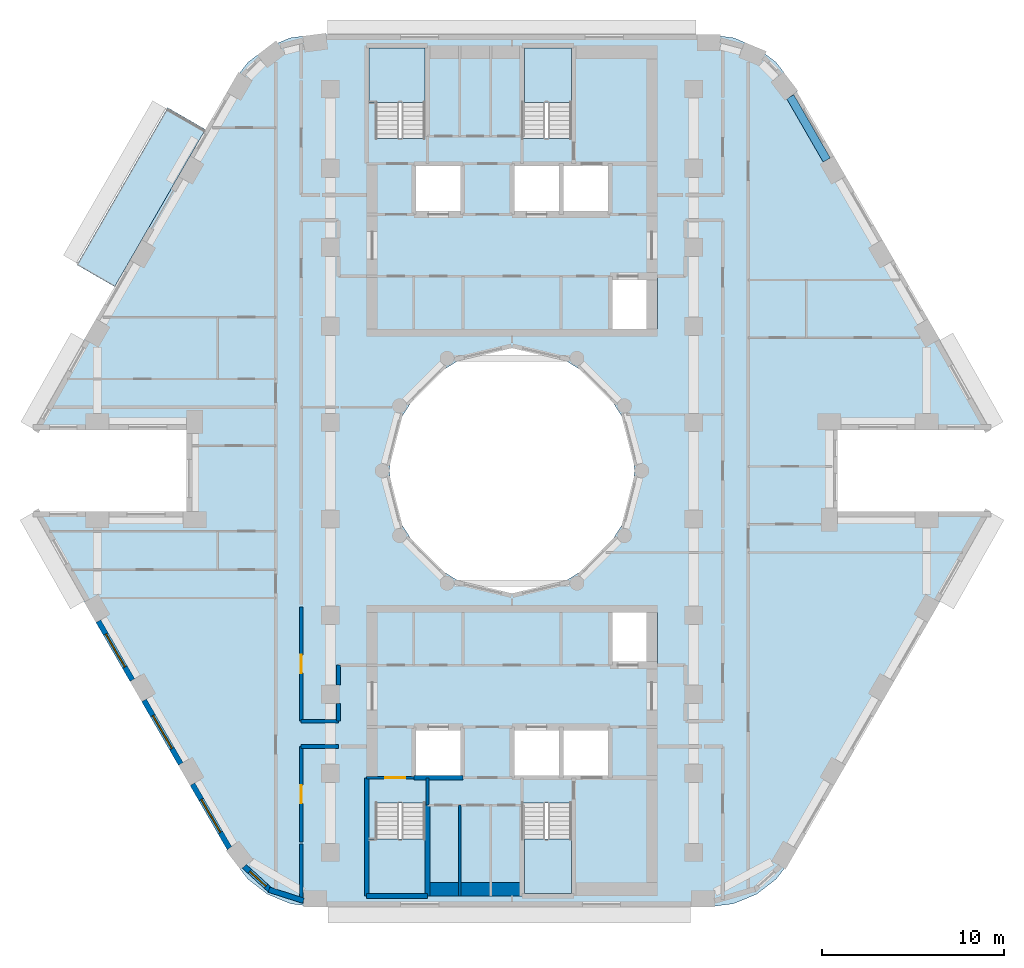
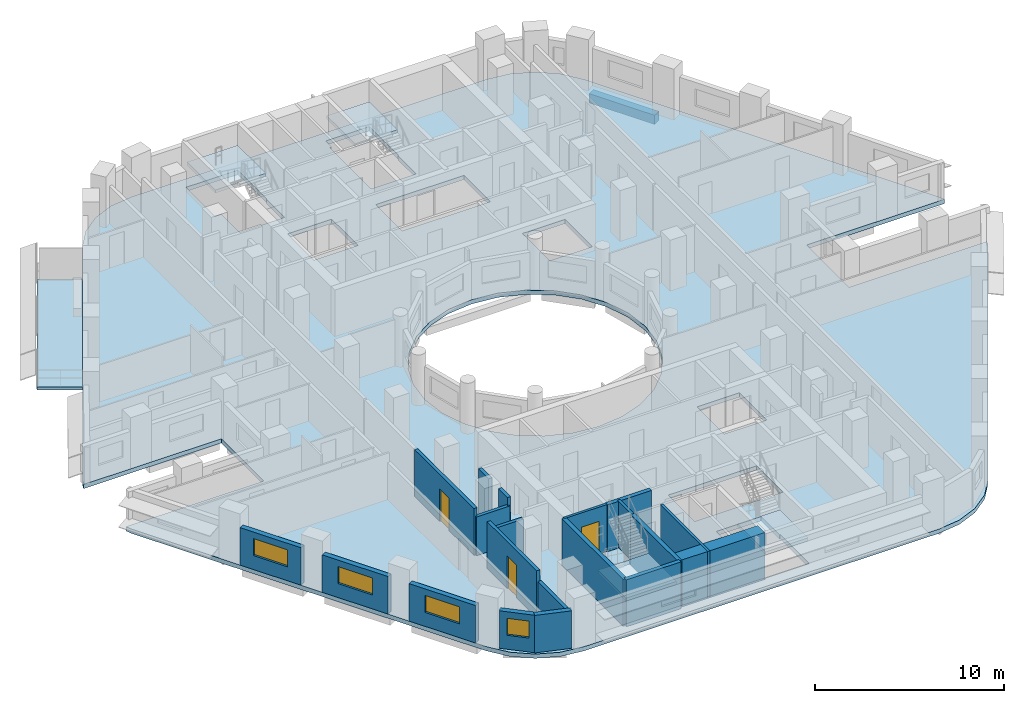
# One storey, part 2 of 13: 20 walls, 6 slabs, 4 windows, 3 doors, 1 beam, 7 openings, 4 elements without a shape of their own.
"""IFC4 building model written with IfcOpenShell, lengths in metres."""

from ifc_helpers import new_model, si_unit, direction, frame, frame_2d, origin, origin_2d, place, context, subcontext, project, spatial, polyline, rectangle, outline, extrude, material, layer, layer_set, material_profile, profile_set, type_object, element, fill, aggregate, save


model = new_model("IFC4")

# Units and contexts
model_context = context("Model", 3, precision=1e-05, world=origin(), true_north=direction((0.0, 1.0)))
body_context = subcontext(model_context, "Body", "Model", "MODEL_VIEW")
ifc_project = project(units=[si_unit("LENGTHUNIT", "METRE"), si_unit("AREAUNIT", "SQUARE_METRE"), si_unit("VOLUMEUNIT", "CUBIC_METRE"), si_unit("PLANEANGLEUNIT", "RADIAN"), si_unit("MASSUNIT", "GRAM", prefix="KILO")], contexts=[model_context])

# Site, building, storey
site_placement = place(None, origin())
site = spatial("IfcSite", under=ifc_project, at=site_placement, CompositionType="ELEMENT")
building_placement = place(site_placement, origin())
building = spatial("IfcBuilding", under=site, at=building_placement, Name="Nakaniwa Court", CompositionType="ELEMENT")
storey_placement = place(building_placement, frame((0.0, 0.0, 147.0)))
storey = spatial("IfcBuildingStorey", under=building, at=storey_placement, Name="L38", CompositionType="ELEMENT", Elevation=147.0)

# Beam
ifc_material_1 = material(Name="Concrete C80/100", Category="concrete")
ifc_material_profile = material_profile(ifc_material_1, rectangle(XDim=0.449951171875, YDim=0.60009765625, at=origin_2d()), Name="Concrete C80/100 RC 450x600 spandrel beam")
ifc_profile_set = profile_set([ifc_material_profile], Name="Concrete C80/100")
beam_type = type_object("IfcBeamType", Name="Concrete C80/100 RC 450x600 spandrel beam", PredefinedType="BEAM", material=ifc_profile_set)
beam_placement = place(storey_placement, frame((97.320556640625, 97.10009765625, -0.574951171875), z_axis=(-0.500018573463, 0.866014680125, 0.0), x_axis=(-0.866014680125, -0.500018573463, 0.0)))
element("IfcBeam", 1, at=beam_placement, inside=storey, type_object=beam_type, Name="SPANDREL BEAM", PredefinedType="BEAM", context=body_context, shape_type="SweptSolid", body=[
    extrude(rectangle(XDim=0.449951171875, YDim=0.60009765625, at=origin_2d()), origin(), (0.0, 0.0, 1.0), 4.020263671875),
])

# Slabs
ifc_material_2 = material(Name="Charcoal ceramic paver")
ifc_layer_1 = layer(ifc_material_2, 0.02, Name="Ceramic paver")
ifc_material_3 = material(Name="Cement sand screed")
ifc_layer_2 = layer(ifc_material_3, 0.03, Name="Falls screed")
ifc_material_4 = material(Name="Concrete C40/50", Category="concrete")
ifc_layer_3 = layer(ifc_material_4, 0.15, Name="Balcony slab")
ifc_layer_set_1 = layer_set([ifc_layer_1, ifc_layer_2, ifc_layer_3], Name="Concrete C40/50 balcony slab with ceramic paver finish")
slab_type_1 = type_object("IfcSlabType", Name="Balcony slab 200", PredefinedType="FLOOR", material=ifc_layer_set_1)
slab_1_placement = place(storey_placement, frame((0.0, 0.0, -0.25)))
element("IfcSlab", 2, at=slab_1_placement, inside=storey, type_object=slab_type_1, Name="L38 balcony 01", PredefinedType="FLOOR", context=body_context, shape_type="SweptSolid", body=[
    extrude(outline(polyline([(63.1298828125, 98.780029296875), (58.13671875, 90.1318359375), (56.058349609375, 91.331787109375), (61.051513671875, 99.97998046875), (63.1298828125, 98.780029296875)])), origin(), (0.0, 0.0, 1.0), 0.199951171875),
])
ifc_layer_4 = layer(ifc_material_1, 0.27490234375)
ifc_layer_set_2 = layer_set([ifc_layer_4], Name="Concrete C80/100")
slab_type_2 = type_object("IfcSlabType", Name="Concrete C80/100 post tensioned floor slab 275", PredefinedType="FLOOR", material=ifc_layer_set_2)
slab_2_placement = place(storey_placement, frame((0.0, 0.0, -0.27490234375)))
element("IfcSlab", 3, at=slab_2_placement, inside=storey, type_object=slab_type_2, Name="FLOOR SLAB", PredefinedType="FLOOR", context=body_context, shape_type="SweptSolid", body=[
    extrude(outline(polyline([(97.908447265625, 82.25), (106.356689453125, 82.25), (106.211669921875, 82.60009765625), (95.357421875, 101.39990234375), (94.531005859375, 102.47705078125), (93.4541015625, 103.30322265625), (92.199951171875, 103.82275390625), (90.854248046875, 104.0), (69.145751953125, 104.0), (67.800048828125, 103.82275390625), (66.5458984375, 103.30322265625), (65.468994140625, 102.47705078125), (64.642578125, 101.39990234375), (53.788330078125, 82.60009765625), (53.643310546875, 82.25), (62.091552734375, 82.25), (62.091552734375, 77.75), (53.643310546875, 77.75), (53.788330078125, 77.39990234375), (64.642578125, 58.60009765625), (65.468994140625, 57.52294921875), (66.5458984375, 56.69677734375), (67.800048828125, 56.17724609375), (69.145751953125, 56.0), (90.854248046875, 56.0), (92.199951171875, 56.17724609375), (93.4541015625, 56.69677734375), (94.531005859375, 57.52294921875), (95.357421875, 58.60009765625), (106.211669921875, 77.39990234375), (106.356689453125, 77.75), (97.908447265625, 77.75), (97.908447265625, 82.25)]), holes=[polyline([(81.501953125, 86.580810546875), (80.0, 86.75), (78.498046875, 86.580810546875), (77.0712890625, 86.08154296875), (75.79150390625, 85.27734375), (74.72265625, 84.20849609375), (73.91845703125, 82.9287109375), (73.419189453125, 81.501953125), (73.25, 80.0), (73.419189453125, 78.498046875), (73.91845703125, 77.0712890625), (74.72265625, 75.79150390625), (75.79150390625, 74.72265625), (77.0712890625, 73.91845703125), (78.498046875, 73.419189453125), (80.0, 73.25), (81.501953125, 73.419189453125), (82.9287109375, 73.91845703125), (84.20849609375, 74.72265625), (85.27734375, 75.79150390625), (86.08154296875, 77.0712890625), (86.580810546875, 78.498046875), (86.75, 80.0), (86.580810546875, 81.501953125), (86.08154296875, 82.9287109375), (85.27734375, 84.20849609375), (84.20849609375, 85.27734375), (82.9287109375, 86.08154296875), (81.501953125, 86.580810546875)]), polyline([(72.47509765625, 61.7099609375), (72.47509765625, 59.764892578125), (72.0849609375, 59.764892578125), (72.0849609375, 56.68505859375), (75.264892578125, 56.68505859375), (75.264892578125, 59.764892578125), (75.22509765625, 59.764892578125), (75.22509765625, 61.7099609375), (72.47509765625, 61.7099609375)]), polyline([(77.300048828125, 65.89990234375), (74.60009765625, 65.89990234375), (74.60009765625, 63.10009765625), (77.300048828125, 63.10009765625), (77.300048828125, 65.89990234375)]), polyline([(80.0, 65.89990234375), (80.0, 63.10009765625), (82.699951171875, 63.10009765625), (85.39990234375, 63.10009765625), (85.39990234375, 65.89990234375), (82.699951171875, 65.89990234375), (80.0, 65.89990234375)]), polyline([(77.300048828125, 96.89990234375), (74.60009765625, 96.89990234375), (74.60009765625, 94.10009765625), (77.300048828125, 94.10009765625), (77.300048828125, 96.89990234375)]), polyline([(80.0, 96.89990234375), (80.0, 94.10009765625), (82.699951171875, 94.10009765625), (85.39990234375, 94.10009765625), (85.39990234375, 96.89990234375), (82.699951171875, 96.89990234375), (80.0, 96.89990234375)]), polyline([(75.264892578125, 100.235107421875), (75.264892578125, 103.31494140625), (72.0849609375, 103.31494140625), (72.0849609375, 100.235107421875), (72.47509765625, 100.235107421875), (72.47509765625, 98.2900390625), (75.22509765625, 98.2900390625), (75.22509765625, 100.235107421875), (75.264892578125, 100.235107421875)]), polyline([(83.27490234375, 61.7099609375), (80.52490234375, 61.7099609375), (80.52490234375, 57.324951171875), (80.635009765625, 57.324951171875), (80.635009765625, 56.68505859375), (83.31494140625, 56.68505859375), (83.31494140625, 59.764892578125), (83.27490234375, 59.764892578125), (83.27490234375, 61.7099609375)]), polyline([(88.0, 72.199951171875), (85.39990234375, 72.199951171875), (85.39990234375, 69.300048828125), (88.0, 69.300048828125), (88.0, 72.199951171875)]), polyline([(88.0, 90.699951171875), (85.39990234375, 90.699951171875), (85.39990234375, 87.800048828125), (88.0, 87.800048828125), (88.0, 90.699951171875)]), polyline([(83.31494140625, 100.235107421875), (83.31494140625, 103.31494140625), (80.635009765625, 103.31494140625), (80.635009765625, 102.675048828125), (80.52490234375, 102.675048828125), (80.52490234375, 98.2900390625), (83.27490234375, 98.2900390625), (83.27490234375, 100.235107421875), (83.31494140625, 100.235107421875)])]), origin(), (0.0, 0.0, 1.0), 0.27490234375),
])

# Stair, slab
stair_type = type_object("IfcStairType", Name="Dog leg stair 1300 wide 18 risers", PredefinedType="HALF_TURN_STAIR", material=ifc_material_1)
stair_1_placement = place(storey_placement, origin())
stair_1 = element("IfcStair", 4, at=stair_1_placement, inside=storey, type_object=stair_type, Name="L38 Stair ST1", PredefinedType="HALF_TURN_STAIR")
ifc_layer_5 = layer(ifc_material_1, 0.199951171875)
ifc_layer_set_3 = layer_set([ifc_layer_5], Name="Concrete C80/100")
slab_type_3 = type_object("IfcSlabType", Name="Stair landing concrete", PredefinedType="LANDING", material=ifc_layer_set_3)
slab_3_placement = place(storey_placement, frame((0.0, 0.0, 1.449951171875)))
slab_3 = element("IfcSlab", 5, at=slab_3_placement, type_object=slab_type_3, Name="ST1 landing 1", PredefinedType="LANDING", context=body_context, shape_type="SweptSolid", body=[
    extrude(outline(polyline([(75.22509765625, 100.27490234375), (75.22509765625, 103.27490234375), (72.125, 103.27490234375), (72.125, 100.27490234375), (75.22509765625, 100.27490234375)])), origin(), (0.0, 0.0, 1.0), 0.199951171875),
])
aggregate(stair_1, [slab_3])

stair_2_placement = place(storey_placement, origin())
stair_2 = element("IfcStair", 6, at=stair_2_placement, inside=storey, type_object=stair_type, Name="L38 Stair ST2", PredefinedType="HALF_TURN_STAIR")
slab_4_placement = place(storey_placement, frame((0.0, 0.0, 1.449951171875)))
slab_4 = element("IfcSlab", 7, at=slab_4_placement, type_object=slab_type_3, Name="ST2 landing 1", PredefinedType="LANDING", context=body_context, shape_type="SweptSolid", body=[
    extrude(outline(polyline([(83.27490234375, 100.27490234375), (83.27490234375, 103.27490234375), (80.675048828125, 103.27490234375), (80.675048828125, 100.27490234375), (83.27490234375, 100.27490234375)])), origin(), (0.0, 0.0, 1.0), 0.199951171875),
])
aggregate(stair_2, [slab_4])

stair_3_placement = place(storey_placement, origin())
stair_3 = element("IfcStair", 8, at=stair_3_placement, inside=storey, type_object=stair_type, Name="L38 Stair ST3", PredefinedType="HALF_TURN_STAIR")
slab_5_placement = place(storey_placement, frame((0.0, 0.0, 1.449951171875)))
slab_5 = element("IfcSlab", 9, at=slab_5_placement, type_object=slab_type_3, Name="ST3 landing 1", PredefinedType="LANDING", context=body_context, shape_type="SweptSolid", body=[
    extrude(outline(polyline([(75.22509765625, 56.72509765625), (75.22509765625, 59.72509765625), (72.125, 59.72509765625), (72.125, 56.72509765625), (75.22509765625, 56.72509765625)])), origin(), (0.0, 0.0, 1.0), 0.199951171875),
])
aggregate(stair_3, [slab_5])

stair_4_placement = place(storey_placement, origin())
stair_4 = element("IfcStair", 10, at=stair_4_placement, inside=storey, type_object=stair_type, Name="L38 Stair ST4", PredefinedType="HALF_TURN_STAIR")
slab_6_placement = place(storey_placement, frame((0.0, 0.0, 1.449951171875)))
slab_6 = element("IfcSlab", 11, at=slab_6_placement, type_object=slab_type_3, Name="ST4 landing 1", PredefinedType="LANDING", context=body_context, shape_type="SweptSolid", body=[
    extrude(outline(polyline([(83.27490234375, 56.72509765625), (83.27490234375, 59.72509765625), (80.675048828125, 59.72509765625), (80.675048828125, 56.72509765625), (83.27490234375, 56.72509765625)])), origin(), (0.0, 0.0, 1.0), 0.199951171875),
])
aggregate(stair_4, [slab_6])

# Walls
ifc_material_5 = material(Name="Acoustic double stud partition")
ifc_layer_6 = layer(ifc_material_5, 0.199951171875)
ifc_layer_set_4 = layer_set([ifc_layer_6], Name="Acoustic double stud partition")
wall_type_1 = type_object("IfcWallType", Name="Acoustic double stud partition 200", PredefinedType="PARTITIONING", material=ifc_layer_set_4)
wall_1_placement = place(storey_placement, frame((68.39990234375, 64.824951171875, 0.0), z_axis=(0.0, 0.0, 1.0), x_axis=(1.0, 0.0, 0.0)))
element("IfcWall", 12, at=wall_1_placement, inside=storey, type_object=wall_type_1, Name="Partition PW-079", PredefinedType="PARTITIONING", context=body_context, shape_type="SweptSolid", body=[
    extrude(rectangle(XDim=2.06298828125, YDim=0.199951171875, at=frame_2d((1.031494140625, 0.0))), origin(), (0.0, 0.0, 1.0), 2.5048828125),
])
wall_2_placement = place(storey_placement, frame((68.39990234375, 66.22509765625, 0.0), z_axis=(0.0, 0.0, 1.0), x_axis=(1.0, 0.0, 0.0)))
element("IfcWall", 13, at=wall_2_placement, inside=storey, type_object=wall_type_1, Name="Partition PW-090", PredefinedType="PARTITIONING", context=body_context, shape_type="SweptSolid", body=[
    extrude(rectangle(XDim=2.050048828125, YDim=0.199951171875, at=frame_2d((1.02490234375, 0.0))), origin(), (0.0, 0.0, 1.0), 2.5048828125),
])
wall_3_placement = place(storey_placement, frame((68.39990234375, 56.40087890625, 0.0), z_axis=(0.0, 0.0, 1.0), x_axis=(0.0, 1.0, 0.0)))
element("IfcWall", 14, at=wall_3_placement, inside=storey, type_object=wall_type_1, Name="Partition PW-100", PredefinedType="PARTITIONING", context=body_context, shape_type="SweptSolid", body=[
    extrude(rectangle(XDim=3.06201171875, YDim=0.199951171875, at=frame_2d((1.531005859375, 0.0))), origin(), (0.0, 0.0, 1.0), 2.405029296875),
])

# Wall, opening, door
wall_4_placement = place(storey_placement, frame((68.39990234375, 64.824951171875, 0.0), z_axis=(0.0, 0.0, 1.0), x_axis=(0.0, -1.0, 0.0)))
wall_4 = element("IfcWall", 15, at=wall_4_placement, inside=storey, type_object=wall_type_1, Name="Partition PW-101", PredefinedType="PARTITIONING", context=body_context, shape_type="SweptSolid", body=[
    extrude(rectangle(XDim=5.247802734375, YDim=0.199951171875, at=frame_2d((2.6240234375, 0.0))), origin(), (0.0, 0.0, 1.0), 3.02490234375),
])
opening_1_placement = place(wall_4_placement, frame((2.123046875, 0.0, 0.0)))
opening_1 = element("IfcOpeningElement", 16, at=opening_1_placement, cuts=wall_4, Name="Opening D-02-05", PredefinedType="OPENING", context=body_context, shape_type="SweptSolid", body=[
    extrude(rectangle(XDim=1.0, YDim=2.10009765625, at=frame_2d((0.5, 1.050048828125))), frame((0.0, 0.10986328125, 0.0), z_axis=(0.0, -1.0, 0.0), x_axis=(1.0, 0.0, 0.0)), (0.0, 0.0, 1.0), 0.219970703125),
])
ifc_material_6 = material(Name="Solid core timber door set, black veneer", Category="wood")
door_type_1 = type_object("IfcDoorType", Name="Internal door 1000", OperationType="NOTDEFINED", PredefinedType="DOOR", material=ifc_material_6)
door_1_placement = place(opening_1_placement, origin())
door_1 = element("IfcDoor", 17, at=door_1_placement, inside=storey, type_object=door_type_1, Name="Door D-02-05 L38-036", OperationType="SINGLE_SWING_LEFT", OverallHeight=2.10009765625, OverallWidth=1.0, PredefinedType="DOOR", context=body_context, shape_type="SweptSolid", body=[
    extrude(rectangle(XDim=1.0, YDim=2.10009765625, at=frame_2d((0.5, 1.050048828125))), frame((0.0, 0.02490234375, 0.0), z_axis=(0.0, -1.0, 0.0), x_axis=(1.0, 0.0, 0.0)), (0.0, 0.0, 1.0), 0.050048828125),
])
fill(opening_1, door_1)

wall_5_placement = place(storey_placement, frame((68.39990234375, 72.5126953125, 0.0), z_axis=(0.0, 0.0, 1.0), x_axis=(0.0, -1.0, 0.0)))
wall_5 = element("IfcWall", 18, at=wall_5_placement, inside=storey, type_object=wall_type_1, Name="Partition PW-102", PredefinedType="PARTITIONING", context=body_context, shape_type="SweptSolid", body=[
    extrude(rectangle(XDim=6.28759765625, YDim=0.199951171875, at=frame_2d((3.143798828125, 0.0))), origin(), (0.0, 0.0, 1.0), 3.02490234375),
])
opening_2_placement = place(wall_5_placement, frame((2.64501953125, 0.0, 0.0)))
opening_2 = element("IfcOpeningElement", 19, at=opening_2_placement, cuts=wall_5, Name="Opening D-02-07", PredefinedType="OPENING", context=body_context, shape_type="SweptSolid", body=[
    extrude(rectangle(XDim=1.0, YDim=2.10009765625, at=frame_2d((0.5, 1.050048828125))), frame((0.0, 0.10986328125, 0.0), z_axis=(0.0, -1.0, 0.0), x_axis=(1.0, 0.0, 0.0)), (0.0, 0.0, 1.0), 0.219970703125),
])
door_2_placement = place(opening_2_placement, origin())
door_2 = element("IfcDoor", 20, at=door_2_placement, inside=storey, type_object=door_type_1, Name="Door D-02-07 L38-038", OperationType="SINGLE_SWING_LEFT", OverallHeight=2.10009765625, OverallWidth=1.0, PredefinedType="DOOR", context=body_context, shape_type="SweptSolid", body=[
    extrude(rectangle(XDim=1.0, YDim=2.10009765625, at=frame_2d((0.5, 1.050048828125))), frame((0.0, 0.02490234375, 0.0), z_axis=(0.0, -1.0, 0.0), x_axis=(1.0, 0.0, 0.0)), (0.0, 0.0, 1.0), 0.050048828125),
])
fill(opening_2, door_2)

# Walls
wall_6_placement = place(storey_placement, frame((70.449951171875, 66.22509765625, 0.0), z_axis=(0.0, 0.0, 1.0), x_axis=(0.0, 1.0, 0.0)))
element("IfcWall", 21, at=wall_6_placement, inside=storey, type_object=wall_type_1, Name="Partition PW-109", PredefinedType="PARTITIONING", context=body_context, shape_type="SweptSolid", body=[
    extrude(rectangle(XDim=0.957763671875, YDim=0.199951171875, at=frame_2d((0.47900390625, 0.0))), origin(), (0.0, 0.0, 1.0), 3.02490234375),
])
wall_7_placement = place(storey_placement, frame((70.449951171875, 68.21728515625, 0.0), z_axis=(0.0, 0.0, 1.0), x_axis=(0.0, 1.0, 0.0)))
element("IfcWall", 22, at=wall_7_placement, inside=storey, type_object=wall_type_1, Name="Partition PW-110", PredefinedType="PARTITIONING", context=body_context, shape_type="SweptSolid", body=[
    extrude(rectangle(XDim=1.082763671875, YDim=0.199951171875, at=frame_2d((0.54150390625, 0.0))), origin(), (0.0, 0.0, 1.0), 3.02490234375),
])

# Wall, opening, window
ifc_material_7 = material(Name="Charcoal ceramic cladding")
ifc_layer_7 = layer(ifc_material_7, 0.02, Name="Ceramic cladding")
ifc_material_8 = material(Name="Ventilated air cavity")
ifc_layer_8 = layer(ifc_material_8, 0.04, ventilated=True, Name="Ventilated cavity")
ifc_material_9 = material(Name="Mineral wool insulation")
ifc_layer_9 = layer(ifc_material_9, 0.1, Name="Insulation")
ifc_material_10 = material(Name="Cement bonded sheathing board")
ifc_layer_10 = layer(ifc_material_10, 0.012, Name="Sheathing")
ifc_material_11 = material(Name="Cold-formed galvanised stud frame with mineral wool infill")
ifc_layer_11 = layer(ifc_material_11, 0.1, Name="Stud frame")
ifc_material_12 = material(Name="Fire-rated gypsum plasterboard lining")
ifc_layer_12 = layer(ifc_material_12, 0.028, Name="Lining")
ifc_layer_set_5 = layer_set([ifc_layer_7, ifc_layer_8, ifc_layer_9, ifc_layer_10, ifc_layer_11, ifc_layer_12], Name="Charcoal ceramic faced external wall system")
wall_type_2 = type_object("IfcWallType", Name="Black ceramic faced external wall 300", PredefinedType="SOLIDWALL", material=ifc_layer_set_5)
wall_8_placement = place(storey_placement, frame((57.240478515625, 71.720947265625, 0.0), z_axis=(0.0, 0.0, 1.0), x_axis=(0.499933594891, -0.866063739398, 0.0)))
wall_8 = element("IfcWall", 23, at=wall_8_placement, inside=storey, type_object=wall_type_2, Name="L38 external wall 21", PredefinedType="SOLIDWALL", context=body_context, shape_type="SweptSolid", body=[
    extrude(rectangle(XDim=3.73681640625, YDim=0.300048828125, at=frame_2d((1.868408203125, 0.0))), origin(), (0.0, 0.0, 1.0), 2.425048828125),
])
opening_3_placement = place(wall_8_placement, frame((0.818359375, 0.0, 0.89990234375)))
opening_3 = element("IfcOpeningElement", 24, at=opening_3_placement, cuts=wall_8, Name="Opening W7.23", PredefinedType="OPENING", context=body_context, shape_type="SweptSolid", body=[
    extrude(rectangle(XDim=2.10009765625, YDim=1.10009765625, at=frame_2d((1.050048828125, 0.550048828125))), frame((0.0, 0.159912109375, 0.0), z_axis=(0.0, -1.0, 0.0), x_axis=(1.0, 0.0, 0.0)), (0.0, 0.0, 1.0), 0.320068359375),
])
ifc_material_13 = material(Name="Black anodised aluminium frame with dark low-E laminated double glazing", Category="aluminium")
window_type_1 = type_object("IfcWindowType", Name="Dark glass window 2100x1100 sill 900", PartitioningType="SINGLE_PANEL", PredefinedType="WINDOW", material=ifc_material_13)
window_1_placement = place(opening_3_placement, origin())
window_1 = element("IfcWindow", 25, at=window_1_placement, inside=storey, type_object=window_type_1, Name="L38 habitable room window 21-0", OverallHeight=1.10009765625, OverallWidth=2.10009765625, PartitioningType="SINGLE_PANEL", PredefinedType="WINDOW", context=body_context, shape_type="SweptSolid", body=[
    extrude(rectangle(XDim=2.10009765625, YDim=1.10009765625, at=frame_2d((1.050048828125, 0.550048828125))), frame((0.0, 0.030029296875, 0.0), z_axis=(0.0, -1.0, 0.0), x_axis=(1.0, 0.0, 0.0)), (0.0, 0.0, 1.0), 0.06005859375),
])
fill(opening_3, window_1)

wall_9_placement = place(storey_placement, frame((59.754638671875, 67.36572265625, 0.0), z_axis=(0.0, 0.0, 1.0), x_axis=(0.500031546601, -0.86600718958, 0.0)))
wall_9 = element("IfcWall", 26, at=wall_9_placement, inside=storey, type_object=wall_type_2, Name="L38 external wall 22", PredefinedType="SOLIDWALL", context=body_context, shape_type="SweptSolid", body=[
    extrude(rectangle(XDim=4.033935546875, YDim=0.300048828125, at=frame_2d((2.01708984375, 0.0))), origin(), (0.0, 0.0, 1.0), 2.425048828125),
])
opening_4_placement = place(wall_9_placement, frame((0.966796875, 0.0, 0.89990234375)))
opening_4 = element("IfcOpeningElement", 27, at=opening_4_placement, cuts=wall_9, Name="Opening W7.24", PredefinedType="OPENING", context=body_context, shape_type="SweptSolid", body=[
    extrude(rectangle(XDim=2.10009765625, YDim=1.10009765625, at=frame_2d((1.050048828125, 0.550048828125))), frame((0.0, 0.159912109375, 0.0), z_axis=(0.0, -1.0, 0.0), x_axis=(1.0, 0.0, 0.0)), (0.0, 0.0, 1.0), 0.320068359375),
])
window_2_placement = place(opening_4_placement, origin())
window_2 = element("IfcWindow", 28, at=window_2_placement, inside=storey, type_object=window_type_1, Name="L38 habitable room window 22-0", OverallHeight=1.10009765625, OverallWidth=2.10009765625, PartitioningType="SINGLE_PANEL", PredefinedType="WINDOW", context=body_context, shape_type="SweptSolid", body=[
    extrude(rectangle(XDim=2.10009765625, YDim=1.10009765625, at=frame_2d((1.050048828125, 0.550048828125))), frame((0.0, 0.030029296875, 0.0), z_axis=(0.0, -1.0, 0.0), x_axis=(1.0, 0.0, 0.0)), (0.0, 0.0, 1.0), 0.06005859375),
])
fill(opening_4, window_2)

wall_10_placement = place(storey_placement, frame((62.417724609375, 62.75341796875, 0.0), z_axis=(0.0, 0.0, 1.0), x_axis=(0.500018589245, -0.866014671013, 0.0)))
wall_10 = element("IfcWall", 29, at=wall_10_placement, inside=storey, type_object=wall_type_2, Name="L38 external wall 23", PredefinedType="SOLIDWALL", context=body_context, shape_type="SweptSolid", body=[
    extrude(rectangle(XDim=4.067626953125, YDim=0.300048828125, at=frame_2d((2.03369140625, 0.0))), origin(), (0.0, 0.0, 1.0), 2.425048828125),
])
opening_5_placement = place(wall_10_placement, frame((0.97265625, 0.0, 0.89990234375)))
opening_5 = element("IfcOpeningElement", 30, at=opening_5_placement, cuts=wall_10, Name="Opening W7.25", PredefinedType="OPENING", context=body_context, shape_type="SweptSolid", body=[
    extrude(rectangle(XDim=2.10009765625, YDim=1.10009765625, at=frame_2d((1.050048828125, 0.550048828125))), frame((0.0, 0.159912109375, 0.0), z_axis=(0.0, -1.0, 0.0), x_axis=(1.0, 0.0, 0.0)), (0.0, 0.0, 1.0), 0.320068359375),
])
window_3_placement = place(opening_5_placement, origin())
window_3 = element("IfcWindow", 31, at=window_3_placement, inside=storey, type_object=window_type_1, Name="L38 habitable room window 23-0", OverallHeight=1.10009765625, OverallWidth=2.10009765625, PartitioningType="SINGLE_PANEL", PredefinedType="WINDOW", context=body_context, shape_type="SweptSolid", body=[
    extrude(rectangle(XDim=2.10009765625, YDim=1.10009765625, at=frame_2d((1.050048828125, 0.550048828125))), frame((0.0, 0.030029296875, 0.0), z_axis=(0.0, -1.0, 0.0), x_axis=(1.0, 0.0, 0.0)), (0.0, 0.0, 1.0), 0.06005859375),
])
fill(opening_5, window_3)

wall_11_placement = place(storey_placement, frame((65.26904296875, 58.229248046875, 0.0), z_axis=(0.0, 0.0, 1.0), x_axis=(0.737487298625, -0.675361002995, 0.0)))
wall_11 = element("IfcWall", 32, at=wall_11_placement, inside=storey, type_object=wall_type_2, Name="L38 external wall 24", PredefinedType="SOLIDWALL", context=body_context, shape_type="SweptSolid", body=[
    extrude(rectangle(XDim=1.9765625, YDim=0.300048828125, at=frame_2d((0.98828125, 0.0))), origin(), (0.0, 0.0, 1.0), 2.425048828125),
])
opening_6_placement = place(wall_11_placement, frame((0.41552734375, 0.0, 0.89990234375)))
opening_6 = element("IfcOpeningElement", 33, at=opening_6_placement, cuts=wall_11, Name="Opening W6.26", PredefinedType="OPENING", context=body_context, shape_type="SweptSolid", body=[
    extrude(rectangle(XDim=1.199951171875, YDim=1.10009765625, at=frame_2d((0.60009765625, 0.550048828125))), frame((0.0, 0.159912109375, 0.0), z_axis=(0.0, -1.0, 0.0), x_axis=(1.0, 0.0, 0.0)), (0.0, 0.0, 1.0), 0.320068359375),
])
window_type_2 = type_object("IfcWindowType", Name="Dark glass window 1200x1100 sill 900", PartitioningType="SINGLE_PANEL", PredefinedType="WINDOW", material=ifc_material_13)
window_4_placement = place(opening_6_placement, origin())
window_4 = element("IfcWindow", 34, at=window_4_placement, inside=storey, type_object=window_type_2, Name="L38 habitable room window 24-0", OverallHeight=1.10009765625, OverallWidth=1.199951171875, PartitioningType="SINGLE_PANEL", PredefinedType="WINDOW", context=body_context, shape_type="SweptSolid", body=[
    extrude(rectangle(XDim=1.199951171875, YDim=1.10009765625, at=frame_2d((0.60009765625, 0.550048828125))), frame((0.0, 0.030029296875, 0.0), z_axis=(0.0, -1.0, 0.0), x_axis=(1.0, 0.0, 0.0)), (0.0, 0.0, 1.0), 0.06005859375),
])
fill(opening_6, window_4)

# Walls
wall_12_placement = place(storey_placement, frame((66.625732421875, 56.94580078125, 0.0), z_axis=(0.0, 0.0, 1.0), x_axis=(0.952201240673, -0.305471434444, 0.0)))
element("IfcWall", 35, at=wall_12_placement, inside=storey, type_object=wall_type_2, Name="L38 external wall 25", PredefinedType="SOLIDWALL", context=body_context, shape_type="SweptSolid", body=[
    extrude(rectangle(XDim=1.998779296875, YDim=0.300048828125, at=frame_2d((0.99951171875, 0.0))), origin(), (0.0, 0.0, 1.0), 2.425048828125),
])
ifc_material_14 = material(Name="Blockwork partition", Category="masonry")
ifc_layer_13 = layer(ifc_material_14, 0.14990234375)
ifc_layer_set_6 = layer_set([ifc_layer_13], Name="Blockwork partition")
wall_type_3 = type_object("IfcWallType", Name="Blockwork partition 150", PredefinedType="PARTITIONING", material=ifc_layer_set_6)
wall_13_placement = place(storey_placement, frame((77.117919921875, 56.60009765625, 0.0), z_axis=(0.0, 0.0, 1.0), x_axis=(0.0, 1.0, 0.0)))
element("IfcWall", 36, at=wall_13_placement, inside=storey, type_object=wall_type_3, Name="Partition PW-069", PredefinedType="PARTITIONING", context=body_context, shape_type="SweptSolid", body=[
    extrude(rectangle(XDim=5.0, YDim=0.14990234375, at=frame_2d((2.5, 0.0))), origin(), (0.0, 0.0, 1.0), 3.02490234375),
])

# Wall, opening, door
ifc_layer_14 = layer(ifc_material_1, 0.14990234375)
ifc_layer_set_7 = layer_set([ifc_layer_14], Name="Concrete C80/100")
wall_type_4 = type_object("IfcWallType", Name="Concrete core wall 150 C80", PredefinedType="SHEAR", material=ifc_layer_set_7)
wall_14_placement = place(storey_placement, frame((72.0, 63.10009765625, -0.27490234375), z_axis=(0.0, 0.0, 1.0), x_axis=(1.0, 0.0, 0.0)))
wall_14 = element("IfcWall", 37, at=wall_14_placement, inside=storey, type_object=wall_type_4, Name="Core wall SW-51", PredefinedType="SHEAR", context=body_context, shape_type="SweptSolid", body=[
    extrude(rectangle(XDim=2.60009765625, YDim=0.14990234375, at=frame_2d((1.300048828125, 0.0))), origin(), (0.0, 0.0, 1.0), 3.2998046875),
])
opening_7_placement = place(wall_14_placement, frame((1.02001953125, 0.0, 0.27490234375)))
opening_7 = element("IfcOpeningElement", 38, at=opening_7_placement, cuts=wall_14, Name="Opening D-09-02", PredefinedType="OPENING", context=body_context, shape_type="SweptSolid", body=[
    extrude(rectangle(XDim=1.10009765625, YDim=2.10009765625, at=frame_2d((0.550048828125, 1.050048828125))), frame((0.0, 0.0849609375, 0.0), z_axis=(0.0, -1.0, 0.0), x_axis=(1.0, 0.0, 0.0)), (0.0, 0.0, 1.0), 0.169921875),
])
ifc_material_15 = material(Name="Fire rated steel door set", Category="steel")
door_type_2 = type_object("IfcDoorType", Name="Stair door 1100", OperationType="NOTDEFINED", PredefinedType="DOOR", material=ifc_material_15)
door_3_placement = place(opening_7_placement, origin())
door_3 = element("IfcDoor", 39, at=door_3_placement, inside=storey, type_object=door_type_2, Name="Door D-09-02 L38-025", OperationType="SINGLE_SWING_LEFT", OverallHeight=2.10009765625, OverallWidth=1.10009765625, PredefinedType="DOOR", context=body_context, shape_type="SweptSolid", body=[
    extrude(rectangle(XDim=1.10009765625, YDim=2.10009765625, at=frame_2d((0.550048828125, 1.050048828125))), frame((0.0, 0.02490234375, 0.0), z_axis=(0.0, -1.0, 0.0), x_axis=(1.0, 0.0, 0.0)), (0.0, 0.0, 1.0), 0.050048828125),
])
fill(opening_7, door_3)

# Walls
wall_15_placement = place(storey_placement, frame((75.35009765625, 61.596923828125, -0.27490234375), z_axis=(0.0, 0.0, 1.0), x_axis=(0.0, 1.0, 0.0)))
element("IfcWall", 40, at=wall_15_placement, inside=storey, type_object=wall_type_4, Name="Core wall SW-58", PredefinedType="SHEAR", context=body_context, shape_type="SweptSolid", body=[
    extrude(rectangle(XDim=1.503173828125, YDim=0.14990234375, at=frame_2d((0.75146484375, 0.0))), origin(), (0.0, 0.0, 1.0), 3.2998046875),
])
ifc_layer_15 = layer(ifc_material_1, 0.25)
ifc_layer_set_8 = layer_set([ifc_layer_15], Name="Concrete C80/100")
wall_type_5 = type_object("IfcWallType", Name="Concrete core wall 250 C80", PredefinedType="SHEAR", material=ifc_layer_set_8)
wall_16_placement = place(storey_placement, frame((72.0, 56.60009765625, -0.27490234375), z_axis=(0.0, 0.0, 1.0), x_axis=(0.0, 1.0, 0.0)))
element("IfcWall", 41, at=wall_16_placement, inside=storey, type_object=wall_type_5, Name="Core wall SW-60", PredefinedType="SHEAR", context=body_context, shape_type="SweptSolid", body=[
    extrude(rectangle(XDim=6.5, YDim=0.25, at=frame_2d((3.25, 0.0))), origin(), (0.0, 0.0, 1.0), 3.2998046875),
])
wall_17_placement = place(storey_placement, frame((72.0, 56.60009765625, -0.27490234375), z_axis=(0.0, 0.0, 1.0), x_axis=(1.0, 0.0, 0.0)))
element("IfcWall", 42, at=wall_17_placement, inside=storey, type_object=wall_type_5, Name="Core wall SW-61", PredefinedType="SHEAR", context=body_context, shape_type="SweptSolid", body=[
    extrude(rectangle(XDim=3.35009765625, YDim=0.25, at=frame_2d((1.675048828125, 0.0))), origin(), (0.0, 0.0, 1.0), 3.2998046875),
])
ifc_layer_16 = layer(ifc_material_1, 0.75)
ifc_layer_set_9 = layer_set([ifc_layer_16], Name="Concrete C80/100")
wall_type_6 = type_object("IfcWallType", Name="Concrete core wall 750 C80", PredefinedType="SHEAR", material=ifc_layer_set_9)
wall_18_placement = place(storey_placement, frame((75.35009765625, 56.97509765625, -0.27490234375), z_axis=(0.0, 0.0, 1.0), x_axis=(1.0, 0.0, 0.0)))
element("IfcWall", 43, at=wall_18_placement, inside=storey, type_object=wall_type_6, Name="Core wall SW-66", PredefinedType="SHEAR", context=body_context, shape_type="SweptSolid", body=[
    extrude(rectangle(XDim=5.199951171875, YDim=0.75, at=frame_2d((2.60009765625, 0.0))), origin(), (0.0, 0.0, 1.0), 3.2998046875),
])
ifc_layer_17 = layer(ifc_material_1, 0.25)
ifc_layer_set_10 = layer_set([ifc_layer_17], Name="Concrete C80/100")
wall_type_7 = type_object("IfcWallType", Name="Concrete shaft wall 250 C80", PredefinedType="SHEAR", material=ifc_layer_set_10)
wall_19_placement = place(storey_placement, frame((74.60009765625, 63.10009765625, -0.27490234375), z_axis=(0.0, 0.0, 1.0), x_axis=(1.0, 0.0, 0.0)))
element("IfcWall", 44, at=wall_19_placement, inside=storey, type_object=wall_type_7, Name="Core wall SW-53", PredefinedType="SHEAR", context=body_context, shape_type="SweptSolid", body=[
    extrude(rectangle(XDim=2.699951171875, YDim=0.25, at=frame_2d((1.35009765625, 0.0))), origin(), (0.0, 0.0, 1.0), 3.2998046875),
])
wall_20_placement = place(storey_placement, frame((75.35009765625, 56.60009765625, -0.27490234375), z_axis=(0.0, 0.0, 1.0), x_axis=(0.0, 1.0, 0.0)))
element("IfcWall", 45, at=wall_20_placement, inside=storey, type_object=wall_type_7, Name="Core wall SW-59", PredefinedType="SHEAR", context=body_context, shape_type="SweptSolid", body=[
    extrude(rectangle(XDim=5.0029296875, YDim=0.25, at=frame_2d((2.50146484375, 0.0))), origin(), (0.0, 0.0, 1.0), 3.2998046875),
])

save(model, "model.ifc")
